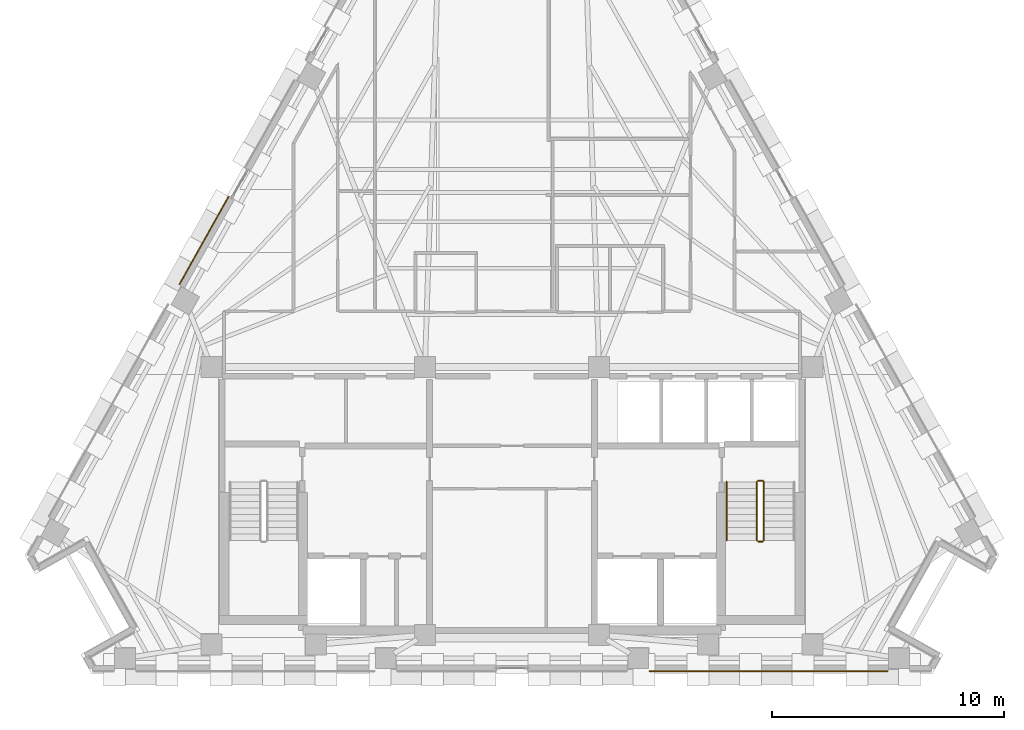
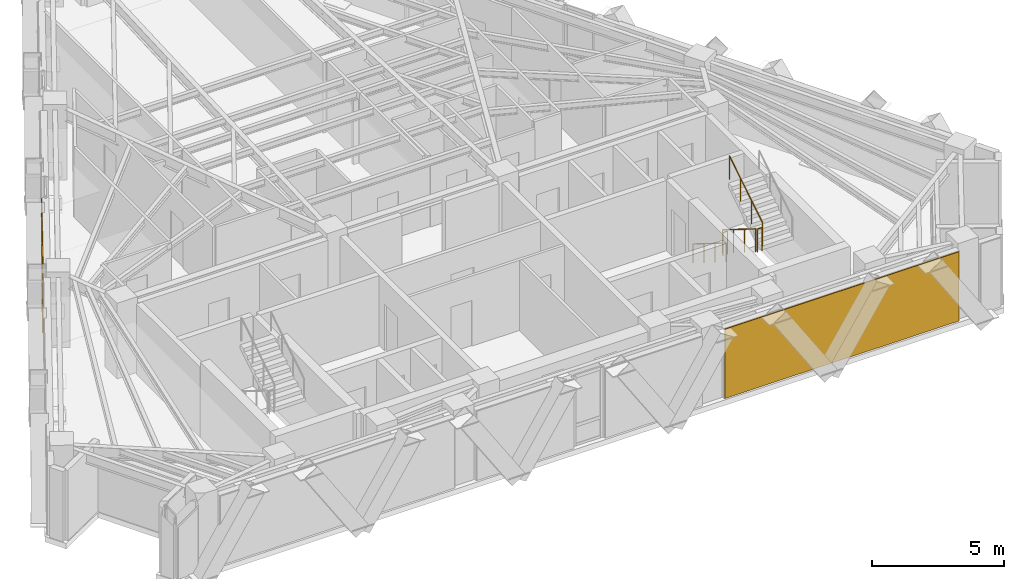
# One storey, part 11 of 12: 5 railings, 2 coverings.
"""IFC4 building model written with IfcOpenShell, lengths in metres."""

import ifcopenshell
import ifcopenshell.guid

model = None  # the IFC model being written
_history = None  # IfcOwnerHistory: only IFC2X3 demands one
_inside = {}  # id of a spatial element -> (the spatial element, [elements in it])
_under = {}  # id of a project, library or spatial element -> (it, [spatial elements below it])
_declared = {}  # id of a project -> (the project, [libraries it declares])
_typed = {}  # id of a type object -> (the type object, [elements of that type])
_made_of = {}  # id of a material, layer set ... -> (it, [elements and type objects made of it])


def new_model(schema):
    """Start an empty IFC model of exactly this schema.

    Asked for "IFC4X3", IfcOpenShell would pick the latest addendum, in which some entities
    have other attributes; the version numbers below select the first issue.
    IFC2X3 requires an IfcOwnerHistory on every rooted entity: one is made here for all.
    """
    global model, _history
    if schema == "IFC4X3":
        model = ifcopenshell.file(schema_version=(4, 3, 0, 0))
    else:
        model = ifcopenshell.file(schema=schema)
    _inside.clear()
    _under.clear()
    _declared.clear()
    _typed.clear()
    _made_of.clear()
    _history = None
    if model.schema == "IFC2X3":
        org = make("IfcOrganization", Name="unknown")
        user = make(
            "IfcPersonAndOrganization",
            ThePerson=make("IfcPerson", FamilyName="unknown"),
            TheOrganization=org,
        )
        app = make(
            "IfcApplication",
            ApplicationDeveloper=org,
            Version="unknown",
            ApplicationFullName="unknown",
            ApplicationIdentifier="unknown",
        )
        _history = make(
            "IfcOwnerHistory",
            OwningUser=user,
            OwningApplication=app,
            ChangeAction="ADDED",
            CreationDate=0,
        )
    return model


def make(cls, **values):
    """One entity of the class cls with the attributes given. An attribute that is None is left unset."""
    return model.create_entity(
        cls, **{name: value for name, value in values.items() if value is not None}
    )


def rooted(cls, **values):
    """An entity with a GlobalId (a new one), such as an element, a storey or a relation."""
    return make(cls, GlobalId=ifcopenshell.guid.new(), OwnerHistory=_history, **values)


def si_unit(unit_type, name, prefix=None):
    """IfcSIUnit, for example si_unit("LENGTHUNIT", "METRE", prefix="MILLI")."""
    return make("IfcSIUnit", UnitType=unit_type, Prefix=prefix, Name=name)


def assignment(units):
    """IfcUnitAssignment: the units of a project."""
    return None if units is None else make("IfcUnitAssignment", Units=units)


def point(xyz):
    """IfcCartesianPoint."""
    return None if xyz is None else make("IfcCartesianPoint", Coordinates=xyz)


def direction(xyz):
    """IfcDirection."""
    return None if xyz is None else make("IfcDirection", DirectionRatios=xyz)


def frame(location, z_axis=None, x_axis=None):
    """IfcAxis2Placement3D, a coordinate frame: its origin and axes. An axis left out is left unset."""
    return make(
        "IfcAxis2Placement3D",
        Location=point(location),
        Axis=direction(z_axis),
        RefDirection=direction(x_axis),
    )


def frame_2d(location, x_axis=None):
    """IfcAxis2Placement2D, a coordinate frame in the plane: its origin and x axis."""
    return make(
        "IfcAxis2Placement2D", Location=point(location), RefDirection=direction(x_axis)
    )


def origin():
    """The frame at (0, 0, 0) with its axes left unset."""
    return frame((0.0, 0.0, 0.0))


def origin_2d():
    """The frame at (0, 0) in the plane with its x axis left unset."""
    return frame_2d((0.0, 0.0))


def place(relative_to, where):
    """IfcLocalPlacement: puts the frame where relative to a parent placement (None: the world)."""
    return make(
        "IfcLocalPlacement", PlacementRelTo=relative_to, RelativePlacement=where
    )


def context(
    kind, dimensions, precision=None, world=None, true_north=None, identifier=None
):
    """IfcGeometricRepresentationContext, for example the 3D "Model" context."""
    return make(
        "IfcGeometricRepresentationContext",
        ContextIdentifier=identifier,
        ContextType=kind,
        CoordinateSpaceDimension=dimensions,
        Precision=precision,
        WorldCoordinateSystem=world,
        TrueNorth=true_north,
    )


def subcontext(parent, identifier, kind, view, scale=None):
    """IfcGeometricRepresentationSubContext, for example "Body" below "Model"."""
    return make(
        "IfcGeometricRepresentationSubContext",
        ContextIdentifier=identifier,
        ContextType=kind,
        ParentContext=parent,
        TargetScale=scale,
        TargetView=view,
    )


def project(units=None, contexts=None):
    """IfcProject with its units and contexts."""
    return rooted(
        "IfcProject",
        Name="project",
        RepresentationContexts=contexts,
        UnitsInContext=assignment(units),
    )


def spatial(cls, under=None, at=None, **own):
    """A site, building, storey or space (cls), placed at a placement, below another one or the project."""
    s = rooted(cls, ObjectPlacement=at, **own)
    if under is not None:
        _under.setdefault(under.id(), (under, []))[1].append(s)
    return s


def polyline(points):
    """IfcPolyline through the points."""
    return make("IfcPolyline", Points=[point(p) for p in points])


def profile(cls, at=None, kind="AREA", **sizes):
    """A parametric profile (cls). Its sizes go by their IFC names, for example OverallWidth=200.0."""
    return make(cls, ProfileType=kind, Position=at, **sizes)


def circle(**sizes):
    """IfcCircleProfileDef."""
    return profile("IfcCircleProfileDef", **sizes)


def outline(outer, holes=None, kind="AREA"):
    """IfcArbitraryClosedProfileDef: a profile drawn as a closed curve; with holes, ...WithVoids."""
    if holes is None:
        return make("IfcArbitraryClosedProfileDef", ProfileType=kind, OuterCurve=outer)
    return make(
        "IfcArbitraryProfileDefWithVoids",
        ProfileType=kind,
        OuterCurve=outer,
        InnerCurves=holes,
    )


def extrude(swept, where, along, depth):
    """IfcExtrudedAreaSolid: the profile swept, set in the frame where, extruded along a direction by depth."""
    return make(
        "IfcExtrudedAreaSolid",
        SweptArea=swept,
        Position=where,
        ExtrudedDirection=direction(along),
        Depth=depth,
    )


def shape(context_of_items, identifier, shape_type, items):
    """IfcShapeRepresentation: the items that make up one representation, for example the "Body"."""
    return make(
        "IfcShapeRepresentation",
        ContextOfItems=context_of_items,
        RepresentationIdentifier=identifier,
        RepresentationType=shape_type,
        Items=items,
    )


def material(Name=None, Category=None):
    """IfcMaterial."""
    return make("IfcMaterial", Name=Name, Category=Category)


def layer(
    of_material, thickness, ventilated=None, Name=None, Category=None, Priority=None
):
    """IfcMaterialLayer: one layer of a wall or slab, of a material (None: an air gap)."""
    return make(
        "IfcMaterialLayer",
        Material=of_material,
        LayerThickness=thickness,
        IsVentilated=ventilated,
        Name=Name,
        Category=Category,
        Priority=Priority,
    )


def layer_set(layers, Name=None):
    """IfcMaterialLayerSet."""
    return make("IfcMaterialLayerSet", MaterialLayers=layers, LayerSetName=Name)


def made_of(thing, what):
    """Note that an element or type object is made of a material, layer set ...; save() writes the relation."""
    if what is not None:
        _made_of.setdefault(what.id(), (what, []))[1].append(thing)
    return thing


def type_object(cls, material=None, **own):
    """A type object (cls), such as IfcWallType, which elements share."""
    return made_of(rooted(cls, **own), material)


def element(
    cls,
    number,
    at=None,
    inside=None,
    cuts=None,
    type_object=None,
    material=None,
    context=None,
    identifier="Body",
    shape_type=None,
    held_by="IfcProductDefinitionShape",
    body=None,
    shapes=None,
    **own,
):
    """One element of the class cls, such as IfcWall. Its Tag is "e" and its number.

    at: its placement. inside: the storey or other place that contains it. cuts: it is an
    opening in that element (IfcRelVoidsElement). A single representation is given by context,
    identifier, shape_type and body (its items); several are given by shapes. held_by: the class
    of the entity that holds the representations. save() writes the other relations.
    """
    e = rooted(cls, Tag="e%d" % number, ObjectPlacement=at, **own)
    if body is not None:
        shapes = [shape(context, identifier, shape_type, body)]
    if shapes is not None:
        e.Representation = make(held_by, Representations=shapes)
    if inside is not None:
        _inside.setdefault(inside.id(), (inside, []))[1].append(e)
    if cuts is not None:
        rooted(
            "IfcRelVoidsElement", RelatingBuildingElement=cuts, RelatedOpeningElement=e
        )
    if type_object is not None:
        _typed.setdefault(type_object.id(), (type_object, []))[1].append(e)
    return made_of(e, material)


def aggregate(whole, parts):
    """IfcRelAggregates: a whole, such as a stair, and the parts it consists of."""
    return rooted("IfcRelAggregates", RelatingObject=whole, RelatedObjects=parts)


def save(model, path):
    """Write the relations noted so far, then the file.

    IfcRelAggregates (storeys below a building ...), IfcRelContainedInSpatialStructure (elements
    in a storey), IfcRelDefinesByType, IfcRelAssociatesMaterial and IfcRelDeclares: one each for
    every whole, place, type object, material and project.
    """
    for whole, parts in _under.values():
        aggregate(whole, parts)
    for where, things in _inside.values():
        rooted(
            "IfcRelContainedInSpatialStructure",
            RelatedElements=things,
            RelatingStructure=where,
        )
    for kind, things in _typed.values():
        rooted("IfcRelDefinesByType", RelatedObjects=things, RelatingType=kind)
    for what, things in _made_of.values():
        rooted("IfcRelAssociatesMaterial", RelatedObjects=things, RelatingMaterial=what)
    for by, libraries in _declared.values():
        rooted("IfcRelDeclares", RelatingContext=by, RelatedDefinitions=libraries)
    model.write(path)


model = new_model("IFC4")

# Units and contexts
model_context = context("Model", 3, precision=1e-05, world=origin(), true_north=direction((0.0, 1.0)))
body_context = subcontext(model_context, "Body", "Model", "MODEL_VIEW")
ifc_project = project(units=[si_unit("LENGTHUNIT", "METRE"), si_unit("AREAUNIT", "SQUARE_METRE"), si_unit("VOLUMEUNIT", "CUBIC_METRE"), si_unit("PLANEANGLEUNIT", "RADIAN"), si_unit("MASSUNIT", "GRAM", prefix="KILO")], contexts=[model_context])

# Site, building, storey
site_placement = place(None, origin())
site = spatial("IfcSite", under=ifc_project, at=site_placement, CompositionType="ELEMENT")
building_placement = place(site_placement, origin())
building = spatial("IfcBuilding", under=site, at=building_placement, Name="Quenlor Broadcast Tower", CompositionType="ELEMENT")
storey_placement = place(building_placement, frame((0.0, 0.0, 211.39990234375)))
storey = spatial("IfcBuildingStorey", under=building, at=storey_placement, Name="L58", CompositionType="ELEMENT", Elevation=211.39990234375)

# Coverings
ifc_material_1 = material(Name="Architectural Terracotta Ceramic", Category="masonry")
ifc_layer = layer(ifc_material_1, 0.044921875)
ifc_layer_set = layer_set([ifc_layer], Name="Fluted Terracotta Rainscreen Cladding Panel")
covering_type = type_object("IfcCoveringType", Name="Fluted Terracotta Rainscreen Cladding Panel", PredefinedType="CLADDING", material=ifc_layer_set)
covering_1_placement = place(storey_placement, frame((0.0, 0.0, 0.02001953125)))
element("IfcCovering", 1, at=covering_1_placement, inside=storey, type_object=covering_type, Name="L58 Terracotta Rainscreen Cladding L58-EW-SA", PredefinedType="CLADDING", context=body_context, shape_type="SweptSolid", body=[
    extrude(outline(polyline([(16.19091796875, -17.89697265625), (5.9228515625, -17.89697265625), (5.9228515625, -17.94189453125), (16.19091796875, -17.94189453125), (16.19091796875, -17.89697265625)])), origin(), (0.0, 0.0, 1.0), 3.2099609375),
])
covering_2_placement = place(storey_placement, frame((0.0, 0.0, 0.02001953125)))
element("IfcCovering", 2, at=covering_2_placement, inside=storey, type_object=covering_type, Name="L58 Terracotta Rainscreen Cladding L58-NW-SP1", PredefinedType="CLADDING", context=body_context, shape_type="SweptSolid", body=[
    extrude(outline(polyline([(-14.30908203125, -1.248291015625), (-12.187255859375, 2.523681640625), (-12.2265625, 2.5458984375), (-14.34814453125, -1.226318359375), (-14.30908203125, -1.248291015625)])), origin(), (0.0, 0.0, 1.0), 3.2099609375),
])

# Railings
ifc_material_2 = material(Name="Anodised Aluminium", Category="aluminium")
railing_type_1 = type_object("IfcRailingType", Name="Stainless Aluminium Wall Handrail 900", PredefinedType="HANDRAIL", material=ifc_material_2)
railing_1_placement = place(storey_placement, frame((9.25, -9.75, 0.175048828125)))
element("IfcRailing", 3, at=railing_1_placement, inside=storey, type_object=railing_type_1, Name="L58 ST-2 stair handrail 1", PredefinedType="HANDRAIL", context=body_context, shape_type="SweptSolid", body=[
    extrude(circle(Radius=0.02392578125, at=origin_2d()), frame((0.0, 0.0, 0.8759765625), z_axis=(0.0, -0.848007534815, 0.529984170421), x_axis=(1.0, 0.0, 0.0)), (0.0, 0.0, 1.0), 2.9716796875),
    extrude(circle(Radius=0.02099609375, at=origin_2d()), origin(), (0.0, 0.0, 1.0), 0.851806640625),
    extrude(circle(Radius=0.02099609375, at=origin_2d()), frame((0.0, -0.840087890625, 0.52490234375)), (0.0, 0.0, 1.0), 0.851806640625),
    extrude(circle(Radius=0.02099609375, at=origin_2d()), frame((0.0, -1.679931640625, 1.050048828125)), (0.0, 0.0, 1.0), 0.851806640625),
    extrude(circle(Radius=0.02099609375, at=origin_2d()), frame((0.0, -2.52001953125, 1.574951171875)), (0.0, 0.0, 1.0), 0.851806640625),
])
ifc_material_3 = material(Name="Steel S355", Category="steel")
railing_type_2 = type_object("IfcRailingType", Name="Tubular Steel S355 Stair Guardrail 1100", PredefinedType="BALUSTRADE", material=ifc_material_3)
railing_2_placement = place(storey_placement, frame((10.550048828125, -9.75, 0.175048828125)))
element("IfcRailing", 4, at=railing_2_placement, inside=storey, type_object=railing_type_2, Name="L58 ST-2 stair guard 1", PredefinedType="BALUSTRADE", context=body_context, shape_type="SweptSolid", body=[
    extrude(circle(Radius=0.02392578125, at=origin_2d()), frame((0.0, 0.0, 1.076171875), z_axis=(0.0, -0.848007534815, 0.529984170421), x_axis=(1.0, 0.0, 0.0)), (0.0, 0.0, 1.0), 2.9716796875),
    extrude(circle(Radius=0.02099609375, at=origin_2d()), origin(), (0.0, 0.0, 1.0), 1.052001953125),
    extrude(circle(Radius=0.02099609375, at=origin_2d()), frame((0.0, -0.840087890625, 0.52490234375)), (0.0, 0.0, 1.0), 1.052001953125),
    extrude(circle(Radius=0.02099609375, at=origin_2d()), frame((0.0, -1.679931640625, 1.050048828125)), (0.0, 0.0, 1.0), 1.052001953125),
    extrude(circle(Radius=0.02099609375, at=origin_2d()), frame((0.0, -2.52001953125, 1.574951171875)), (0.0, 0.0, 1.0), 1.052001953125),
])
railing_3_placement = place(storey_placement, frame((10.60009765625, -12.320068359375, 1.75)))
element("IfcRailing", 5, at=railing_3_placement, inside=storey, type_object=railing_type_2, Name="L58 ST-2 stair guard 2", PredefinedType="BALUSTRADE", context=body_context, shape_type="SweptSolid", body=[
    extrude(circle(Radius=0.02392578125, at=origin_2d()), frame((0.0, 0.0, 1.076171875), z_axis=(1.0, 0.0, 0.0), x_axis=(0.0, 1.0, 0.0)), (0.0, 0.0, 1.0), 0.199951171875),
    extrude(circle(Radius=0.02099609375, at=origin_2d()), origin(), (0.0, 0.0, 1.0), 1.052001953125),
    extrude(circle(Radius=0.02099609375, at=origin_2d()), frame((0.199951171875, 0.0, 0.0)), (0.0, 0.0, 1.0), 1.052001953125),
])
railing_4_placement = place(storey_placement, frame((10.85009765625, -12.27001953125, 1.925048828125)))
element("IfcRailing", 6, at=railing_4_placement, inside=storey, type_object=railing_type_2, Name="L58 ST-2 stair guard 3", PredefinedType="BALUSTRADE", context=body_context, shape_type="SweptSolid", body=[
    extrude(circle(Radius=0.02392578125, at=origin_2d()), frame((0.0, 0.0, 1.076171875), z_axis=(0.0, 0.848007534815, 0.529984170421), x_axis=(-1.0, 0.0, 0.0)), (0.0, 0.0, 1.0), 2.9716796875),
    extrude(circle(Radius=0.02099609375, at=origin_2d()), origin(), (0.0, 0.0, 1.0), 1.052001953125),
    extrude(circle(Radius=0.02099609375, at=origin_2d()), frame((0.0, 0.840087890625, 0.52490234375)), (0.0, 0.0, 1.0), 1.052001953125),
    extrude(circle(Radius=0.02099609375, at=origin_2d()), frame((0.0, 1.679931640625, 1.050048828125)), (0.0, 0.0, 1.0), 1.052001953125),
    extrude(circle(Radius=0.02099609375, at=origin_2d()), frame((0.0, 2.52001953125, 1.574951171875)), (0.0, 0.0, 1.0), 1.052001953125),
])
railing_5_placement = place(storey_placement, frame((10.60009765625, -9.699951171875, 0.0)))
element("IfcRailing", 7, at=railing_5_placement, inside=storey, type_object=railing_type_2, Name="L58 ST-2 stair guard 4", PredefinedType="BALUSTRADE", context=body_context, shape_type="SweptSolid", body=[
    extrude(circle(Radius=0.02392578125, at=origin_2d()), frame((0.0, 0.0, 1.076171875), z_axis=(1.0, 0.0, 0.0), x_axis=(0.0, 1.0, 0.0)), (0.0, 0.0, 1.0), 0.199951171875),
    extrude(circle(Radius=0.02099609375, at=origin_2d()), origin(), (0.0, 0.0, 1.0), 1.052001953125),
    extrude(circle(Radius=0.02099609375, at=origin_2d()), frame((0.199951171875, 0.0, 0.0)), (0.0, 0.0, 1.0), 1.052001953125),
])

save(model, "model.ifc")
